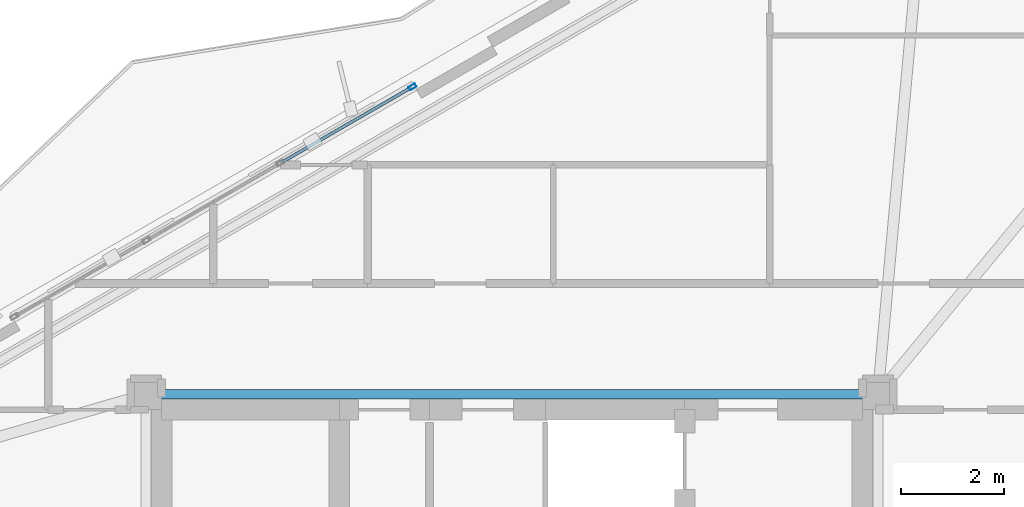
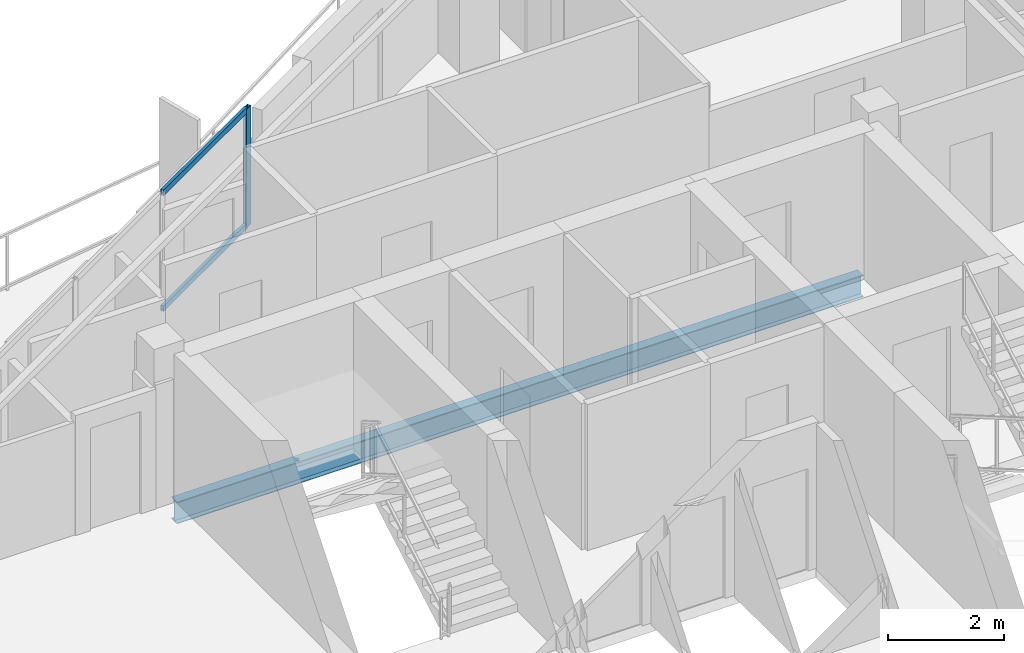
# One storey, part 14 of 21: 3 members, 1 beam, 1 element without a shape of its own.
"""IFC4 building model written with IfcOpenShell, lengths in metres."""

import ifcopenshell
import ifcopenshell.guid

model = None  # the IFC model being written
_history = None  # IfcOwnerHistory: only IFC2X3 demands one
_inside = {}  # id of a spatial element -> (the spatial element, [elements in it])
_under = {}  # id of a project, library or spatial element -> (it, [spatial elements below it])
_declared = {}  # id of a project -> (the project, [libraries it declares])
_typed = {}  # id of a type object -> (the type object, [elements of that type])
_made_of = {}  # id of a material, layer set ... -> (it, [elements and type objects made of it])


def new_model(schema):
    """Start an empty IFC model of exactly this schema.

    Asked for "IFC4X3", IfcOpenShell would pick the latest addendum, in which some entities
    have other attributes; the version numbers below select the first issue.
    IFC2X3 requires an IfcOwnerHistory on every rooted entity: one is made here for all.
    """
    global model, _history
    if schema == "IFC4X3":
        model = ifcopenshell.file(schema_version=(4, 3, 0, 0))
    else:
        model = ifcopenshell.file(schema=schema)
    _inside.clear()
    _under.clear()
    _declared.clear()
    _typed.clear()
    _made_of.clear()
    _history = None
    if model.schema == "IFC2X3":
        org = make("IfcOrganization", Name="unknown")
        user = make(
            "IfcPersonAndOrganization",
            ThePerson=make("IfcPerson", FamilyName="unknown"),
            TheOrganization=org,
        )
        app = make(
            "IfcApplication",
            ApplicationDeveloper=org,
            Version="unknown",
            ApplicationFullName="unknown",
            ApplicationIdentifier="unknown",
        )
        _history = make(
            "IfcOwnerHistory",
            OwningUser=user,
            OwningApplication=app,
            ChangeAction="ADDED",
            CreationDate=0,
        )
    return model


def make(cls, **values):
    """One entity of the class cls with the attributes given. An attribute that is None is left unset."""
    return model.create_entity(
        cls, **{name: value for name, value in values.items() if value is not None}
    )


def rooted(cls, **values):
    """An entity with a GlobalId (a new one), such as an element, a storey or a relation."""
    return make(cls, GlobalId=ifcopenshell.guid.new(), OwnerHistory=_history, **values)


def si_unit(unit_type, name, prefix=None):
    """IfcSIUnit, for example si_unit("LENGTHUNIT", "METRE", prefix="MILLI")."""
    return make("IfcSIUnit", UnitType=unit_type, Prefix=prefix, Name=name)


def assignment(units):
    """IfcUnitAssignment: the units of a project."""
    return None if units is None else make("IfcUnitAssignment", Units=units)


def point(xyz):
    """IfcCartesianPoint."""
    return None if xyz is None else make("IfcCartesianPoint", Coordinates=xyz)


def direction(xyz):
    """IfcDirection."""
    return None if xyz is None else make("IfcDirection", DirectionRatios=xyz)


def frame(location, z_axis=None, x_axis=None):
    """IfcAxis2Placement3D, a coordinate frame: its origin and axes. An axis left out is left unset."""
    return make(
        "IfcAxis2Placement3D",
        Location=point(location),
        Axis=direction(z_axis),
        RefDirection=direction(x_axis),
    )


def frame_2d(location, x_axis=None):
    """IfcAxis2Placement2D, a coordinate frame in the plane: its origin and x axis."""
    return make(
        "IfcAxis2Placement2D", Location=point(location), RefDirection=direction(x_axis)
    )


def origin():
    """The frame at (0, 0, 0) with its axes left unset."""
    return frame((0.0, 0.0, 0.0))


def origin_2d():
    """The frame at (0, 0) in the plane with its x axis left unset."""
    return frame_2d((0.0, 0.0))


def place(relative_to, where):
    """IfcLocalPlacement: puts the frame where relative to a parent placement (None: the world)."""
    return make(
        "IfcLocalPlacement", PlacementRelTo=relative_to, RelativePlacement=where
    )


def context(
    kind, dimensions, precision=None, world=None, true_north=None, identifier=None
):
    """IfcGeometricRepresentationContext, for example the 3D "Model" context."""
    return make(
        "IfcGeometricRepresentationContext",
        ContextIdentifier=identifier,
        ContextType=kind,
        CoordinateSpaceDimension=dimensions,
        Precision=precision,
        WorldCoordinateSystem=world,
        TrueNorth=true_north,
    )


def subcontext(parent, identifier, kind, view, scale=None):
    """IfcGeometricRepresentationSubContext, for example "Body" below "Model"."""
    return make(
        "IfcGeometricRepresentationSubContext",
        ContextIdentifier=identifier,
        ContextType=kind,
        ParentContext=parent,
        TargetScale=scale,
        TargetView=view,
    )


def project(units=None, contexts=None):
    """IfcProject with its units and contexts."""
    return rooted(
        "IfcProject",
        Name="project",
        RepresentationContexts=contexts,
        UnitsInContext=assignment(units),
    )


def spatial(cls, under=None, at=None, **own):
    """A site, building, storey or space (cls), placed at a placement, below another one or the project."""
    s = rooted(cls, ObjectPlacement=at, **own)
    if under is not None:
        _under.setdefault(under.id(), (under, []))[1].append(s)
    return s


def profile(cls, at=None, kind="AREA", **sizes):
    """A parametric profile (cls). Its sizes go by their IFC names, for example OverallWidth=200.0."""
    return make(cls, ProfileType=kind, Position=at, **sizes)


def hollow_rectangle(**sizes):
    """IfcRectangleHollowProfileDef."""
    return profile("IfcRectangleHollowProfileDef", **sizes)


def i_section(**sizes):
    """IfcIShapeProfileDef."""
    return profile("IfcIShapeProfileDef", **sizes)


def extrude(swept, where, along, depth):
    """IfcExtrudedAreaSolid: the profile swept, set in the frame where, extruded along a direction by depth."""
    return make(
        "IfcExtrudedAreaSolid",
        SweptArea=swept,
        Position=where,
        ExtrudedDirection=direction(along),
        Depth=depth,
    )


def shape(context_of_items, identifier, shape_type, items):
    """IfcShapeRepresentation: the items that make up one representation, for example the "Body"."""
    return make(
        "IfcShapeRepresentation",
        ContextOfItems=context_of_items,
        RepresentationIdentifier=identifier,
        RepresentationType=shape_type,
        Items=items,
    )


def material(Name=None, Category=None):
    """IfcMaterial."""
    return make("IfcMaterial", Name=Name, Category=Category)


def layer(
    of_material, thickness, ventilated=None, Name=None, Category=None, Priority=None
):
    """IfcMaterialLayer: one layer of a wall or slab, of a material (None: an air gap)."""
    return make(
        "IfcMaterialLayer",
        Material=of_material,
        LayerThickness=thickness,
        IsVentilated=ventilated,
        Name=Name,
        Category=Category,
        Priority=Priority,
    )


def layer_set(layers, Name=None):
    """IfcMaterialLayerSet."""
    return make("IfcMaterialLayerSet", MaterialLayers=layers, LayerSetName=Name)


def material_profile(
    of_material, cross_section, Name=None, Category=None, Priority=None
):
    """IfcMaterialProfile: a cross section and its material."""
    return make(
        "IfcMaterialProfile",
        Name=Name,
        Material=of_material,
        Profile=cross_section,
        Priority=Priority,
        Category=Category,
    )


def profile_set(profiles, Name=None, composite=None):
    """IfcMaterialProfileSet."""
    return make(
        "IfcMaterialProfileSet",
        Name=Name,
        MaterialProfiles=profiles,
        CompositeProfile=composite,
    )


def made_of(thing, what):
    """Note that an element or type object is made of a material, layer set ...; save() writes the relation."""
    if what is not None:
        _made_of.setdefault(what.id(), (what, []))[1].append(thing)
    return thing


def type_object(cls, material=None, **own):
    """A type object (cls), such as IfcWallType, which elements share."""
    return made_of(rooted(cls, **own), material)


def element(
    cls,
    number,
    at=None,
    inside=None,
    cuts=None,
    type_object=None,
    material=None,
    context=None,
    identifier="Body",
    shape_type=None,
    held_by="IfcProductDefinitionShape",
    body=None,
    shapes=None,
    **own,
):
    """One element of the class cls, such as IfcWall. Its Tag is "e" and its number.

    at: its placement. inside: the storey or other place that contains it. cuts: it is an
    opening in that element (IfcRelVoidsElement). A single representation is given by context,
    identifier, shape_type and body (its items); several are given by shapes. held_by: the class
    of the entity that holds the representations. save() writes the other relations.
    """
    e = rooted(cls, Tag="e%d" % number, ObjectPlacement=at, **own)
    if body is not None:
        shapes = [shape(context, identifier, shape_type, body)]
    if shapes is not None:
        e.Representation = make(held_by, Representations=shapes)
    if inside is not None:
        _inside.setdefault(inside.id(), (inside, []))[1].append(e)
    if cuts is not None:
        rooted(
            "IfcRelVoidsElement", RelatingBuildingElement=cuts, RelatedOpeningElement=e
        )
    if type_object is not None:
        _typed.setdefault(type_object.id(), (type_object, []))[1].append(e)
    return made_of(e, material)


def aggregate(whole, parts):
    """IfcRelAggregates: a whole, such as a stair, and the parts it consists of."""
    return rooted("IfcRelAggregates", RelatingObject=whole, RelatedObjects=parts)


def save(model, path):
    """Write the relations noted so far, then the file.

    IfcRelAggregates (storeys below a building ...), IfcRelContainedInSpatialStructure (elements
    in a storey), IfcRelDefinesByType, IfcRelAssociatesMaterial and IfcRelDeclares: one each for
    every whole, place, type object, material and project.
    """
    for whole, parts in _under.values():
        aggregate(whole, parts)
    for where, things in _inside.values():
        rooted(
            "IfcRelContainedInSpatialStructure",
            RelatedElements=things,
            RelatingStructure=where,
        )
    for kind, things in _typed.values():
        rooted("IfcRelDefinesByType", RelatedObjects=things, RelatingType=kind)
    for what, things in _made_of.values():
        rooted("IfcRelAssociatesMaterial", RelatedObjects=things, RelatingMaterial=what)
    for by, libraries in _declared.values():
        rooted("IfcRelDeclares", RelatingContext=by, RelatedDefinitions=libraries)
    model.write(path)


model = new_model("IFC4")

# Units and contexts
model_context = context("Model", 3, precision=1e-05, world=origin(), true_north=direction((0.0, 1.0)))
body_context = subcontext(model_context, "Body", "Model", "MODEL_VIEW")
ifc_project = project(units=[si_unit("LENGTHUNIT", "METRE"), si_unit("AREAUNIT", "SQUARE_METRE"), si_unit("VOLUMEUNIT", "CUBIC_METRE"), si_unit("PLANEANGLEUNIT", "RADIAN"), si_unit("MASSUNIT", "GRAM", prefix="KILO")], contexts=[model_context])

# Site, building, storey
site_placement = place(None, origin())
site = spatial("IfcSite", under=ifc_project, at=site_placement, CompositionType="ELEMENT")
building_placement = place(site_placement, origin())
building = spatial("IfcBuilding", under=site, at=building_placement, Name="Mersakhor Tower and Convention Hall", CompositionType="ELEMENT")
storey_placement = place(building_placement, frame((0.0, 0.0, 211.800048828125)))
storey = spatial("IfcBuildingStorey", under=building, at=storey_placement, Name="L59", CompositionType="ELEMENT", Elevation=211.800048828125)

# Beam
ifc_material_1 = material(Name="Steel S355", Category="steel")
ifc_material_profile_1 = material_profile(ifc_material_1, i_section(OverallWidth=0.19140625, OverallDepth=0.4599609375, WebThickness=0.010009765625, FlangeThickness=0.01611328125, at=origin_2d()), Name="UB 457x191x82")
ifc_profile_set_1 = profile_set([ifc_material_profile_1], Name="Steel S355")
beam_type = type_object("IfcBeamType", Name="BM-FB-457", PredefinedType="BEAM", material=ifc_profile_set_1)
beam_placement = place(storey_placement, frame((22.179931640625, 33.050048828125, -0.4599609375), z_axis=(1.0, 0.0, 0.0), x_axis=(0.0, 1.0, 0.0)))
element("IfcBeam", 1, at=beam_placement, inside=storey, type_object=beam_type, Name="L59 Core Ring Tie Beam CRB-2", PredefinedType="BEAM", context=body_context, shape_type="SweptSolid", body=[
    extrude(i_section(OverallWidth=0.19140625, OverallDepth=0.4599609375, WebThickness=0.010009765625, FlangeThickness=0.01611328125, at=origin_2d()), origin(), (0.0, 0.0, 1.0), 13.64013671875),
])

# Curtain wall, members
ifc_material_2 = material(Name="Dark solar low-E aluminium curtain wall", Category="aluminium")
ifc_layer = layer(ifc_material_2, 0.169921875)
ifc_layer_set = layer_set([ifc_layer], Name="Dark solar low-E aluminium curtain wall")
curtain_wall_type = type_object("IfcCurtainWallType", Name="CW-SYS-02", PredefinedType="USERDEFINED", material=ifc_layer_set)
curtain_wall_placement = place(storey_placement, origin())
curtain_wall = element("IfcCurtainWall", 2, at=curtain_wall_placement, inside=storey, type_object=curtain_wall_type, Name="L59 Dark-Glass Curtain Wall F1-B2", ObjectType="CURTAIN WALL", PredefinedType="USERDEFINED")
ifc_material_3 = material(Name="Anodised aluminium EN AW-6063 T6", Category="aluminium")
ifc_material_profile_2 = material_profile(ifc_material_3, hollow_rectangle(XDim=0.074951171875, YDim=0.14990234375, WallThickness=0.00634765625, at=origin_2d()), Name="RHS 150x75x6.3")
ifc_profile_set_2 = profile_set([ifc_material_profile_2], Name="Anodised aluminium EN AW-6063 T6")
member_type_1 = type_object("IfcMemberType", Name="CWM-150x75", PredefinedType="MULLION", material=ifc_profile_set_2)
member_1_placement = place(storey_placement, frame((27.06982421875, 39.016845703125, 0.199951171875), z_axis=(0.0, 0.0, 1.0), x_axis=(-0.500007824483, 0.86602088627, 0.0)))
member_1 = element("IfcMember", 3, at=member_1_placement, type_object=member_type_1, Name="CW-02 mullion 4", PredefinedType="MULLION", context=body_context, shape_type="SweptSolid", body=[
    extrude(hollow_rectangle(XDim=0.074951171875, YDim=0.14990234375, WallThickness=0.00634765625, at=origin_2d()), origin(), (0.0, 0.0, 1.0), 2.489990234375),
])
ifc_material_4 = material(Name="Anodised aluminium EN AW-6063 T6", Category="aluminium")
ifc_material_profile_3 = material_profile(ifc_material_4, hollow_rectangle(XDim=0.06005859375, YDim=0.1201171875, WallThickness=0.0048828125, at=origin_2d()), Name="RHS 120x60x5")
ifc_profile_set_3 = profile_set([ifc_material_profile_3], Name="Anodised aluminium EN AW-6063 T6")
member_type_2 = type_object("IfcMemberType", Name="CWT-120x60", PredefinedType="USERDEFINED", material=ifc_profile_set_3)
member_2_placement = place(storey_placement, frame((24.537109375, 37.554443359375, 0.22998046875), z_axis=(0.86601237176, 0.50002257145, 0.0), x_axis=(-0.50002257145, 0.86601237176, 0.0)))
member_2 = element("IfcMember", 4, at=member_2_placement, type_object=member_type_2, Name="CW-02 transom 3.1", ObjectType="TRANSOM", PredefinedType="USERDEFINED", context=body_context, shape_type="SweptSolid", body=[
    extrude(hollow_rectangle(XDim=0.06005859375, YDim=0.1201171875, WallThickness=0.0048828125, at=origin_2d()), origin(), (0.0, 0.0, 1.0), 2.886962890625),
])
member_3_placement = place(storey_placement, frame((24.537109375, 37.554443359375, 2.659912109375), z_axis=(0.86601237176, 0.50002257145, 0.0), x_axis=(-0.50002257145, 0.86601237176, 0.0)))
member_3 = element("IfcMember", 5, at=member_3_placement, type_object=member_type_2, Name="CW-02 transom 3.2", ObjectType="TRANSOM", PredefinedType="USERDEFINED", context=body_context, shape_type="SweptSolid", body=[
    extrude(hollow_rectangle(XDim=0.06005859375, YDim=0.1201171875, WallThickness=0.0048828125, at=origin_2d()), origin(), (0.0, 0.0, 1.0), 2.886962890625),
])
aggregate(curtain_wall, [member_1, member_2, member_3])

save(model, "model.ifc")
